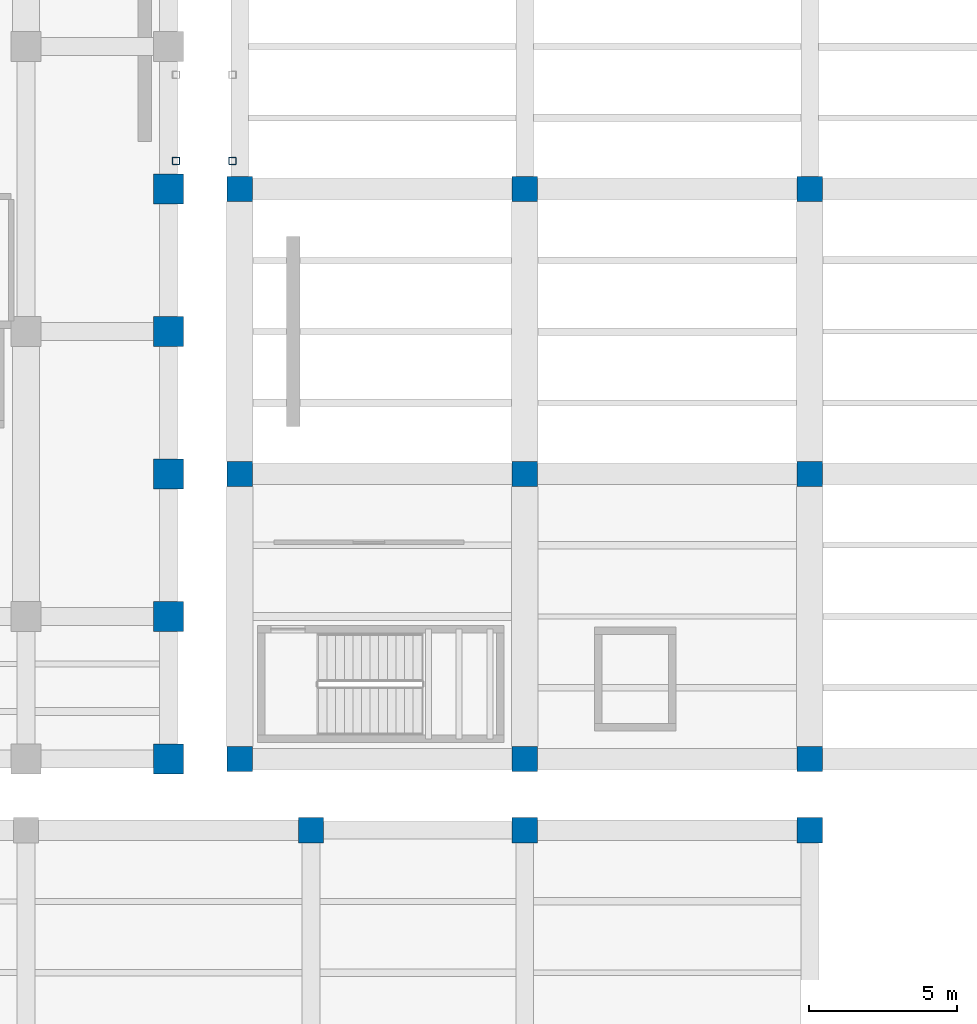
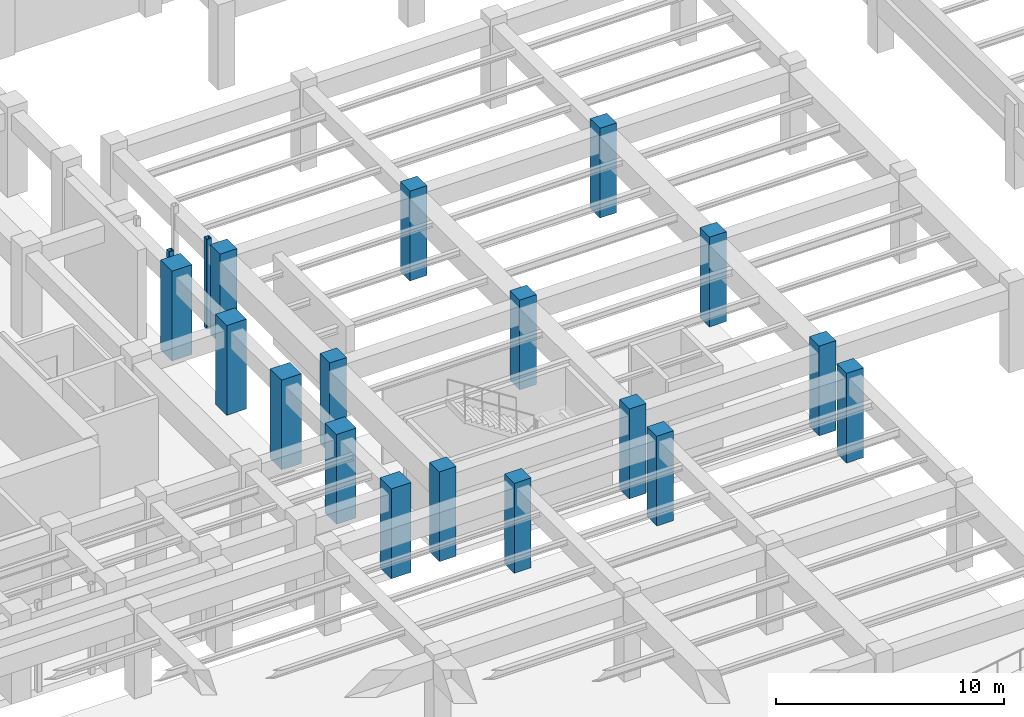
# One storey, part 5 of 45: 19 columns.
"""IFC4 building model written with IfcOpenShell, lengths in metres."""

from ifc_helpers import new_model, si_unit, direction, frame, origin, origin_2d, place, context, subcontext, project, spatial, rectangle, hollow_rectangle, extrude, material, material_profile, profile_set, type_object, element, save


model = new_model("IFC4")

# Units and contexts
model_context = context("Model", 3, precision=1e-05, world=origin(), true_north=direction((0.0, 1.0)))
body_context = subcontext(model_context, "Body", "Model", "MODEL_VIEW")
ifc_project = project(units=[si_unit("LENGTHUNIT", "METRE"), si_unit("AREAUNIT", "SQUARE_METRE"), si_unit("VOLUMEUNIT", "CUBIC_METRE"), si_unit("PLANEANGLEUNIT", "RADIAN"), si_unit("MASSUNIT", "GRAM", prefix="KILO")], contexts=[model_context])

# Site, building, storey
site_placement = place(None, origin())
site = spatial("IfcSite", under=ifc_project, at=site_placement, CompositionType="ELEMENT")
building_placement = place(site_placement, origin())
building = spatial("IfcBuilding", under=site, at=building_placement, Name="Mavantir Sound Aquarium", CompositionType="ELEMENT")
storey_placement = place(building_placement, frame((0.0, 0.0, -4.800048828125)))
storey = spatial("IfcBuildingStorey", under=building, at=storey_placement, Name="B1", CompositionType="ELEMENT", Elevation=-4.800048828125)

# Columns
ifc_material_1 = material(Name="Concrete C40/50", Category="concrete")
ifc_material_profile_1 = material_profile(ifc_material_1, rectangle(XDim=1.0, YDim=1.0, at=origin_2d()), Name="RC 1000X1000")
ifc_profile_set_1 = profile_set([ifc_material_profile_1], Name="Concrete C40/50")
column_type_1 = type_object("IfcColumnType", Name="COL-RC1000-I", PredefinedType="COLUMN", material=ifc_profile_set_1)
for number, where, z_axis, x_axis, name in (
    (1, (33.60009765625, 40.800048828125, 0.0), (0.0, 0.0, 1.0), (1.0, 0.0, 0.0), "B1 column RC-C10 (V1)"),
    (2, (33.60009765625, 45.60009765625, 0.0), (0.0, 0.0, 1.0), (1.0, 0.0, 0.0), "B1 column RC-C10 (V1)"),
    (3, (33.60009765625, 50.39990234375, 0.0), (0.0, 0.0, 1.0), (1.0, 0.0, 0.0), "B1 column RC-C10 (V1)"),
    (4, (33.60009765625, 55.199951171875, 0.0), (0.0, 0.0, 1.0), (1.0, 0.0, 0.0), "B1 column RC-C10 (V1)"),
    (5, (33.60009765625, 60.0, 0.0), (0.0, 0.0, 1.0), (1.0, 0.0, 0.0), "B1 column RC-C10 (V1)"),
):
    element("IfcColumn", number, at=place(storey_placement, frame(where, z_axis=z_axis, x_axis=x_axis)), inside=storey, type_object=column_type_1, Name=name, PredefinedType="COLUMN", context=body_context, shape_type="SweptSolid", body=[
        extrude(rectangle(XDim=1.0, YDim=1.0, at=origin_2d()), origin(), (0.0, 0.0, 1.0), 4.800048828125),
    ])
ifc_material_profile_2 = material_profile(ifc_material_1, rectangle(XDim=0.85009765625, YDim=0.85009765625, at=origin_2d()), Name="RC 850X850")
ifc_profile_set_2 = profile_set([ifc_material_profile_2], Name="Concrete C40/50")
column_type_2 = type_object("IfcColumnType", Name="COL-RC850-I", PredefinedType="COLUMN", material=ifc_profile_set_2)
for number, where, z_axis, x_axis, name in (
    (6, (36.0, 40.800048828125, 0.0), (0.0, 0.0, 1.0), (1.0, 0.0, 0.0), "B1 column RC-C85 (V2)"),
    (7, (36.0, 50.39990234375, 0.0), (0.0, 0.0, 1.0), (1.0, 0.0, 0.0), "B1 column RC-C85 (V2)"),
    (8, (36.0, 60.0, 0.0), (0.0, 0.0, 1.0), (1.0, 0.0, 0.0), "B1 column RC-C85 (V2)"),
    (9, (45.60009765625, 40.800048828125, 0.0), (0.0, 0.0, 1.0), (1.0, 0.0, 0.0), "B1 column RC-C85 (V2)"),
    (10, (45.60009765625, 50.39990234375, 0.0), (0.0, 0.0, 1.0), (1.0, 0.0, 0.0), "B1 column RC-C85 (V2)"),
    (11, (45.60009765625, 60.0, 0.0), (0.0, 0.0, 1.0), (1.0, 0.0, 0.0), "B1 column RC-C85 (V2)"),
    (12, (55.199951171875, 40.800048828125, 0.0), (0.0, 0.0, 1.0), (1.0, 0.0, 0.0), "B1 column RC-C85 (V2)"),
    (13, (55.199951171875, 50.39990234375, 0.0), (0.0, 0.0, 1.0), (1.0, 0.0, 0.0), "B1 column RC-C85 (V2)"),
    (14, (55.199951171875, 60.0, 0.0), (0.0, 0.0, 1.0), (1.0, 0.0, 0.0), "B1 column RC-C85 (V2)"),
    (15, (38.39990234375, 38.39990234375, 0.0), (0.0, 0.0, 1.0), (1.0, 0.0, 0.0), "B1 column RC-C85 (V3)"),
    (16, (45.60009765625, 38.39990234375, 0.0), (0.0, 0.0, 1.0), (1.0, 0.0, 0.0), "B1 column RC-C85 (V3)"),
    (17, (55.199951171875, 38.39990234375, 0.0), (0.0, 0.0, 1.0), (1.0, 0.0, 0.0), "B1 column RC-C85 (V3)"),
):
    element("IfcColumn", number, at=place(storey_placement, frame(where, z_axis=z_axis, x_axis=x_axis)), inside=storey, type_object=column_type_2, Name=name, PredefinedType="COLUMN", context=body_context, shape_type="SweptSolid", body=[
        extrude(rectangle(XDim=0.85009765625, YDim=0.85009765625, at=origin_2d()), origin(), (0.0, 0.0, 1.0), 4.800048828125),
    ])
ifc_material_2 = material(Name="Hollow Structural Steel ASTM A500 GrC", Category="steel")
ifc_material_profile_3 = material_profile(ifc_material_2, hollow_rectangle(XDim=0.25, YDim=0.25, WallThickness=0.012451171875, InnerFilletRadius=0.012451171875, OuterFilletRadius=0.02490234375, at=origin_2d()), Name="SHS 250X250X12.5")
ifc_profile_set_3 = profile_set([ifc_material_profile_3], Name="Hollow Structural Steel ASTM A500 GrC")
column_type_3 = type_object("IfcColumnType", Name="COL-SHS250-E", PredefinedType="COLUMN", material=ifc_profile_set_3)
for number, where, z_axis, x_axis, name in (
    (18, (33.85009765625, 60.949951171875, 0.0), (0.0, 0.0, 1.0), (1.0, 0.0, 0.0), "Bridge support column 1.1 (B1)"),
    (19, (35.75, 60.949951171875, 0.0), (0.0, 0.0, 1.0), (1.0, 0.0, 0.0), "Bridge support column 1.3 (B1)"),
):
    element("IfcColumn", number, at=place(storey_placement, frame(where, z_axis=z_axis, x_axis=x_axis)), inside=storey, type_object=column_type_3, Name=name, PredefinedType="COLUMN", context=body_context, shape_type="SweptSolid", body=[
        extrude(hollow_rectangle(XDim=0.25, YDim=0.25, WallThickness=0.012451171875, InnerFilletRadius=0.012451171875, OuterFilletRadius=0.02490234375, at=origin_2d()), origin(), (0.0, 0.0, 1.0), 4.800048828125),
    ])

save(model, "model.ifc")
